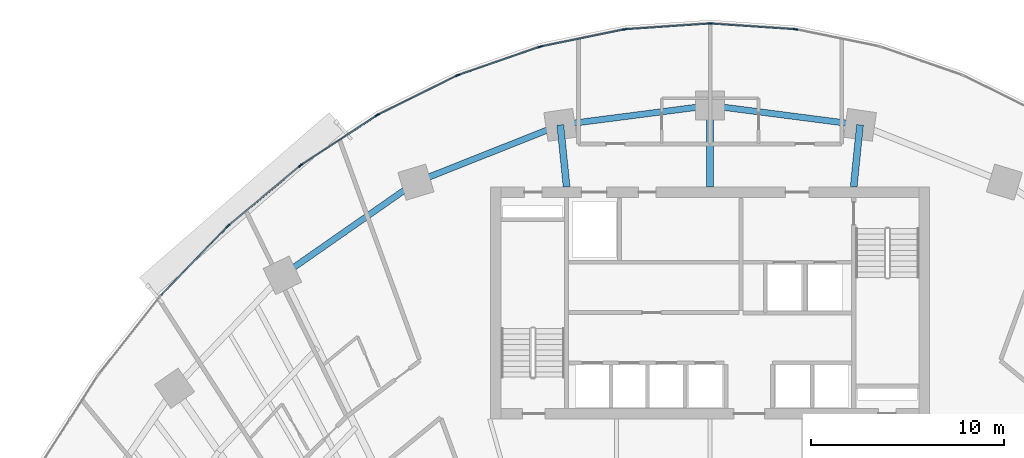
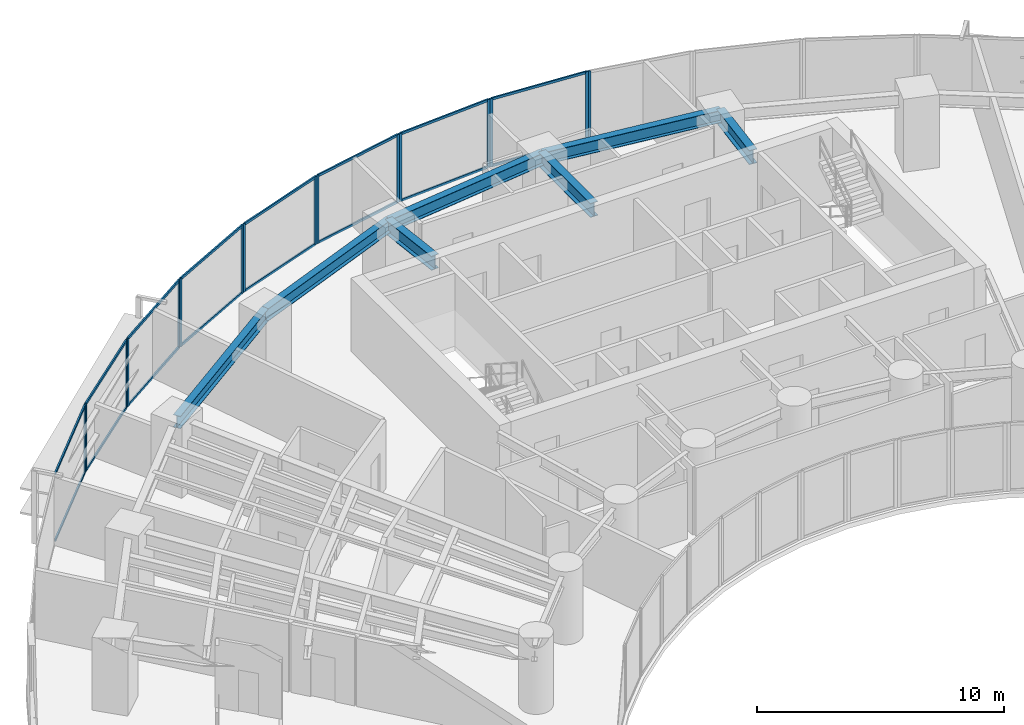
# One storey, part 6 of 17: 32 members, 7 beams, 9 elements without a shape of their own.
"""IFC4 building model written with IfcOpenShell, lengths in metres."""

from ifc_helpers import new_model, si_unit, direction, frame, origin, origin_2d, place, context, subcontext, project, spatial, rectangle, i_section, extrude, source, transform, mapped, material, layer, layer_set, material_profile, profile_set, type_object, element, aggregate, save


model = new_model("IFC4")

# Units and contexts
model_context = context("Model", 3, precision=1e-05, world=origin(), true_north=direction((0.0, 1.0)))
body_context = subcontext(model_context, "Body", "Model", "MODEL_VIEW")
ifc_project = project(units=[si_unit("LENGTHUNIT", "METRE"), si_unit("AREAUNIT", "SQUARE_METRE"), si_unit("VOLUMEUNIT", "CUBIC_METRE"), si_unit("PLANEANGLEUNIT", "RADIAN"), si_unit("MASSUNIT", "GRAM", prefix="KILO")], contexts=[model_context])

# Site, building, storey
site_placement = place(None, origin())
site = spatial("IfcSite", under=ifc_project, at=site_placement, CompositionType="ELEMENT")
building_placement = place(site_placement, origin())
building = spatial("IfcBuilding", under=site, at=building_placement, Name="Breltana Convention Tower", CompositionType="ELEMENT")
storey_placement = place(building_placement, frame((0.0, 0.0, 67.800048828125)))
storey = spatial("IfcBuildingStorey", under=building, at=storey_placement, Name="L15", CompositionType="ELEMENT", Elevation=67.800048828125)

# Beams
ifc_material_1 = material(Name="Steel ASTM A992 Grade 50", Category="steel")
ifc_material_profile_1 = material_profile(ifc_material_1, i_section(OverallWidth=0.323974609375, OverallDepth=0.611083984375, WebThickness=0.0126953125, FlangeThickness=0.01904296875, at=origin_2d()), Name="W24X104")
ifc_profile_set_1 = profile_set([ifc_material_profile_1], Name="Steel ASTM A992 Grade 50")
beam_type_1 = type_object("IfcBeamType", Name="BM-SP-W24X104", PredefinedType="SPANDREL", material=ifc_profile_set_1)
shared_shape_1 = source(origin(), body_context, "Body", "SweptSolid", [
    extrude(i_section(OverallWidth=0.323974609375, OverallDepth=0.611083984375, WebThickness=0.0126953125, FlangeThickness=0.01904296875, at=origin_2d()), origin(), (0.0, 0.0, 1.0), 8.4169921875),
])
beam_1_placement = place(storey_placement, frame((25.8876953125, 67.626953125, 3.054443359375), z_axis=(0.820173800102, 0.572114444519, 0.0), x_axis=(-0.572114444519, 0.820173800102, 0.0)))
element("IfcBeam", 1, at=beam_1_placement, inside=storey, type_object=beam_type_1, Name="L15 Outer Spandrel Beam 03", PredefinedType="SPANDREL", context=body_context, shape_type="MappedRepresentation", body=[
    mapped(shared_shape_1, transform((0.0, 0.0, 0.0), scale=1.0)),
])
shared_shape_2 = source(origin(), body_context, "Body", "SweptSolid", [
    extrude(i_section(OverallWidth=0.323974609375, OverallDepth=0.611083984375, WebThickness=0.0126953125, FlangeThickness=0.01904296875, at=origin_2d()), origin(), (0.0, 0.0, 1.0), 8.028564453125),
])
beam_2_placement = place(storey_placement, frame((32.791015625, 72.4423828125, 3.054443359375), z_axis=(0.929459100394, 0.368925169507, 0.0), x_axis=(-0.368925169507, 0.929459100394, 0.0)))
element("IfcBeam", 2, at=beam_2_placement, inside=storey, type_object=beam_type_1, Name="L15 Outer Spandrel Beam 04", PredefinedType="SPANDREL", context=body_context, shape_type="MappedRepresentation", body=[
    mapped(shared_shape_2, transform((0.0, 0.0, 0.0), scale=1.0)),
])
shared_shape_3 = source(origin(), body_context, "Body", "SweptSolid", [
    extrude(i_section(OverallWidth=0.323974609375, OverallDepth=0.611083984375, WebThickness=0.0126953125, FlangeThickness=0.01904296875, at=origin_2d()), origin(), (0.0, 0.0, 1.0), 7.81103515625),
])
for number, where, z_axis, x_axis, name in (
    (3, (40.253173828125, 75.404296875, 3.054443359375), (0.991775179127, 0.127992164083, 0.0), (-0.127992164083, 0.991775179127, 0.0), "L15 Outer Spandrel Beam 05"),
    (4, (48.0, 76.404052734375, 3.054443359375), (0.991775179127, -0.127992164083, 0.0), (0.127992164083, 0.991775179127, 0.0), "L15 Outer Spandrel Beam 06"),
):
    element("IfcBeam", number, at=place(storey_placement, frame(where, z_axis=z_axis, x_axis=x_axis)), inside=storey, type_object=beam_type_1, Name=name, PredefinedType="SPANDREL", context=body_context, shape_type="MappedRepresentation", body=[
        mapped(shared_shape_3, transform((0.0, 0.0, 0.0), scale=1.0)),
    ])
ifc_material_profile_2 = material_profile(ifc_material_1, i_section(OverallWidth=0.35498046875, OverallDepth=0.696044921875, WebThickness=0.015380859375, FlangeThickness=0.02490234375, at=origin_2d()), Name="W27X146")
ifc_profile_set_2 = profile_set([ifc_material_profile_2], Name="Steel ASTM A992 Grade 50")
beam_type_2 = type_object("IfcBeamType", Name="BM-RG-W27X146", PredefinedType="USERDEFINED", material=ifc_profile_set_2)
shared_shape_4 = source(origin(), body_context, "Body", "SweptSolid", [
    extrude(i_section(OverallWidth=0.35498046875, OverallDepth=0.696044921875, WebThickness=0.015380859375, FlangeThickness=0.02490234375, at=origin_2d()), origin(), (0.0, 0.0, 1.0), 3.220947265625),
])
for number, where, z_axis, x_axis, name in (
    (5, (40.580078125, 72.199951171875, 3.011962890625), (-0.101492254858, 0.994836329355, 0.0), (-0.994836329355, -0.101492254858, 0.0), "L15 North Core Radial Girder R05"),
    (6, (55.419921875, 72.199951171875, 3.011962890625), (0.101492254858, 0.994836329355, 0.0), (-0.994836329355, 0.101492254858, 0.0), "L15 North Core Radial Girder R07"),
):
    element("IfcBeam", number, at=place(storey_placement, frame(where, z_axis=z_axis, x_axis=x_axis)), inside=storey, type_object=beam_type_2, Name=name, ObjectType="GIRDER", PredefinedType="USERDEFINED", context=body_context, shape_type="MappedRepresentation", body=[
        mapped(shared_shape_4, transform((0.0, 0.0, 0.0), scale=1.0)),
    ])
shared_shape_5 = source(origin(), body_context, "Body", "SweptSolid", [
    extrude(i_section(OverallWidth=0.35498046875, OverallDepth=0.696044921875, WebThickness=0.015380859375, FlangeThickness=0.02490234375, at=origin_2d()), origin(), (0.0, 0.0, 1.0), 4.2041015625),
])
beam_3_placement = place(storey_placement, frame((48.0, 72.199951171875, 3.011962890625), z_axis=(0.0, 1.0, 0.0), x_axis=(-1.0, 0.0, 0.0)))
element("IfcBeam", 7, at=beam_3_placement, inside=storey, type_object=beam_type_2, Name="L15 North Core Radial Girder R06", ObjectType="GIRDER", PredefinedType="USERDEFINED", context=body_context, shape_type="MappedRepresentation", body=[
    mapped(shared_shape_5, transform((0.0, 0.0, 0.0), scale=1.0)),
])

# Curtain wall, members
ifc_material_2 = material(Name="Aluminium Anodised Bronze Frame", Category="aluminium")
ifc_layer = layer(ifc_material_2, 0.199951171875, Name="Aluminium Anodised Bronze Frame")
ifc_layer_set = layer_set([ifc_layer], Name="Aluminium Anodised Bronze Frame")
curtain_wall_type = type_object("IfcCurtainWallType", Name="CW-SYS-2", PredefinedType="NOTDEFINED", material=ifc_layer_set)
curtain_wall_1_placement = place(storey_placement, origin())
curtain_wall_1 = element("IfcCurtainWall", 8, at=curtain_wall_1_placement, inside=storey, type_object=curtain_wall_type, Name="L15 outer double-skin inner glazing 3", PredefinedType="NOTDEFINED")
ifc_material_3 = material(Name="Aluminium Anodised Bronze", Category="aluminium")
ifc_material_profile_3 = material_profile(ifc_material_3, rectangle(XDim=0.070068359375, YDim=0.1201171875, at=origin_2d()), Name="CWT-70X120")
ifc_profile_set_3 = profile_set([ifc_material_profile_3], Name="Aluminium Anodised Bronze")
member_type_1 = type_object("IfcMemberType", Name="CWT-120", PredefinedType="USERDEFINED", material=ifc_profile_set_3)
shared_shape_6 = source(origin(), body_context, "Body", "SweptSolid", [
    extrude(rectangle(XDim=0.070068359375, YDim=0.1201171875, at=origin_2d()), origin(), (0.0, 0.0, 1.0), 4.901123046875),
])
member_1_placement = place(storey_placement, frame((19.615478515625, 66.5966796875, 0.034912109375), z_axis=(0.6945945137, 0.719401460617, 0.0), x_axis=(-0.719401460617, 0.6945945137, 0.0)))
member_1 = element("IfcMember", 9, at=member_1_placement, type_object=member_type_1, Name="CW-02 transom 1.1", ObjectType="TRANSOM", PredefinedType="USERDEFINED", context=body_context, shape_type="MappedRepresentation", body=[
    mapped(shared_shape_6, transform((0.0, 0.0, 0.0), scale=1.0)),
])
member_2_placement = place(storey_placement, frame((19.615478515625, 66.5966796875, 3.324951171875), z_axis=(0.6945945137, 0.719401460617, 0.0), x_axis=(-0.719401460617, 0.6945945137, 0.0)))
member_2 = element("IfcMember", 10, at=member_2_placement, type_object=member_type_1, Name="CW-02 transom 1.2", ObjectType="TRANSOM", PredefinedType="USERDEFINED", context=body_context, shape_type="MappedRepresentation", body=[
    mapped(shared_shape_6, transform((0.0, 0.0, 0.0), scale=1.0)),
])

curtain_wall_2_placement = place(storey_placement, origin())
curtain_wall_2 = element("IfcCurtainWall", 11, at=curtain_wall_2_placement, inside=storey, type_object=curtain_wall_type, Name="L15 outer double-skin inner glazing 4", PredefinedType="NOTDEFINED")
shared_shape_7 = source(origin(), body_context, "Body", "SweptSolid", [
    extrude(rectangle(XDim=0.070068359375, YDim=0.1201171875, at=origin_2d()), origin(), (0.0, 0.0, 1.0), 4.7509765625),
])
member_3_placement = place(storey_placement, frame((23.1220703125, 70.2177734375, 0.034912109375), z_axis=(0.767951631807, 0.64050783852, 0.0), x_axis=(-0.64050783852, 0.767951631807, 0.0)))
member_3 = element("IfcMember", 12, at=member_3_placement, type_object=member_type_1, Name="CW-02 transom 1.1", ObjectType="TRANSOM", PredefinedType="USERDEFINED", context=body_context, shape_type="MappedRepresentation", body=[
    mapped(shared_shape_7, transform((0.0, 0.0, 0.0), scale=1.0)),
])
member_4_placement = place(storey_placement, frame((23.1220703125, 70.2177734375, 3.324951171875), z_axis=(0.767951631807, 0.64050783852, 0.0), x_axis=(-0.64050783852, 0.767951631807, 0.0)))
member_4 = element("IfcMember", 13, at=member_4_placement, type_object=member_type_1, Name="CW-02 transom 1.2", ObjectType="TRANSOM", PredefinedType="USERDEFINED", context=body_context, shape_type="MappedRepresentation", body=[
    mapped(shared_shape_7, transform((0.0, 0.0, 0.0), scale=1.0)),
])

curtain_wall_3_placement = place(storey_placement, origin())
curtain_wall_3 = element("IfcCurtainWall", 14, at=curtain_wall_3_placement, inside=storey, type_object=curtain_wall_type, Name="L15 outer double-skin inner glazing 5", PredefinedType="NOTDEFINED")
shared_shape_8 = source(origin(), body_context, "Body", "SweptSolid", [
    extrude(rectangle(XDim=0.070068359375, YDim=0.1201171875, at=origin_2d()), origin(), (0.0, 0.0, 1.0), 4.610595703125),
])
member_5_placement = place(storey_placement, frame((26.8828125, 73.343994140625, 0.034912109375), z_axis=(0.835956055104, 0.54879638659, 0.0), x_axis=(-0.54879638659, 0.835956055104, 0.0)))
member_5 = element("IfcMember", 15, at=member_5_placement, type_object=member_type_1, Name="CW-02 transom 1.1", ObjectType="TRANSOM", PredefinedType="USERDEFINED", context=body_context, shape_type="MappedRepresentation", body=[
    mapped(shared_shape_8, transform((0.0, 0.0, 0.0), scale=1.0)),
])
member_6_placement = place(storey_placement, frame((26.8828125, 73.343994140625, 3.324951171875), z_axis=(0.835956055104, 0.54879638659, 0.0), x_axis=(-0.54879638659, 0.835956055104, 0.0)))
member_6 = element("IfcMember", 16, at=member_6_placement, type_object=member_type_1, Name="CW-02 transom 1.2", ObjectType="TRANSOM", PredefinedType="USERDEFINED", context=body_context, shape_type="MappedRepresentation", body=[
    mapped(shared_shape_8, transform((0.0, 0.0, 0.0), scale=1.0)),
])

curtain_wall_4_placement = place(storey_placement, origin())
curtain_wall_4 = element("IfcCurtainWall", 17, at=curtain_wall_4_placement, inside=storey, type_object=curtain_wall_type, Name="L15 outer double-skin inner glazing 6", PredefinedType="NOTDEFINED")
shared_shape_9 = source(origin(), body_context, "Body", "SweptSolid", [
    extrude(rectangle(XDim=0.070068359375, YDim=0.1201171875, at=origin_2d()), origin(), (0.0, 0.0, 1.0), 4.487548828125),
])
member_7_placement = place(storey_placement, frame((30.8583984375, 75.94384765625, 0.034912109375), z_axis=(0.895977728863, 0.444098986017, 0.0), x_axis=(-0.444098986017, 0.895977728863, 0.0)))
member_7 = element("IfcMember", 18, at=member_7_placement, type_object=member_type_1, Name="CW-02 transom 1.1", ObjectType="TRANSOM", PredefinedType="USERDEFINED", context=body_context, shape_type="MappedRepresentation", body=[
    mapped(shared_shape_9, transform((0.0, 0.0, 0.0), scale=1.0)),
])
member_8_placement = place(storey_placement, frame((30.8583984375, 75.94384765625, 3.324951171875), z_axis=(0.895977728863, 0.444098986017, 0.0), x_axis=(-0.444098986017, 0.895977728863, 0.0)))
member_8 = element("IfcMember", 19, at=member_8_placement, type_object=member_type_1, Name="CW-02 transom 1.2", ObjectType="TRANSOM", PredefinedType="USERDEFINED", context=body_context, shape_type="MappedRepresentation", body=[
    mapped(shared_shape_9, transform((0.0, 0.0, 0.0), scale=1.0)),
])

curtain_wall_5_placement = place(storey_placement, origin())
curtain_wall_5 = element("IfcCurtainWall", 20, at=curtain_wall_5_placement, inside=storey, type_object=curtain_wall_type, Name="L15 outer double-skin inner glazing 7", PredefinedType="NOTDEFINED")
shared_shape_10 = source(origin(), body_context, "Body", "SweptSolid", [
    extrude(rectangle(XDim=0.070068359375, YDim=0.1201171875, at=origin_2d()), origin(), (0.0, 0.0, 1.0), 4.38818359375),
])
member_9_placement = place(storey_placement, frame((35.008056640625, 77.99072265625, 0.034912109375), z_axis=(0.944878203019, 0.32742202348, 0.0), x_axis=(-0.32742202348, 0.944878203019, 0.0)))
member_9 = element("IfcMember", 21, at=member_9_placement, type_object=member_type_1, Name="CW-02 transom 1.1", ObjectType="TRANSOM", PredefinedType="USERDEFINED", context=body_context, shape_type="MappedRepresentation", body=[
    mapped(shared_shape_10, transform((0.0, 0.0, 0.0), scale=1.0)),
])
member_10_placement = place(storey_placement, frame((35.008056640625, 77.99072265625, 3.324951171875), z_axis=(0.944878203019, 0.32742202348, 0.0), x_axis=(-0.32742202348, 0.944878203019, 0.0)))
member_10 = element("IfcMember", 22, at=member_10_placement, type_object=member_type_1, Name="CW-02 transom 1.2", ObjectType="TRANSOM", PredefinedType="USERDEFINED", context=body_context, shape_type="MappedRepresentation", body=[
    mapped(shared_shape_10, transform((0.0, 0.0, 0.0), scale=1.0)),
])

curtain_wall_6_placement = place(storey_placement, origin())
curtain_wall_6 = element("IfcCurtainWall", 23, at=curtain_wall_6_placement, inside=storey, type_object=curtain_wall_type, Name="L15 outer double-skin inner glazing 8", PredefinedType="NOTDEFINED")
shared_shape_11 = source(origin(), body_context, "Body", "SweptSolid", [
    extrude(rectangle(XDim=0.070068359375, YDim=0.1201171875, at=origin_2d()), origin(), (0.0, 0.0, 1.0), 4.318359375),
])
member_11_placement = place(storey_placement, frame((39.2890625, 79.464599609375, 0.034912109375), z_axis=(0.979616680923, 0.200875977799, 0.0), x_axis=(-0.200875977799, 0.979616680923, 0.0)))
member_11 = element("IfcMember", 24, at=member_11_placement, type_object=member_type_1, Name="CW-02 transom 1.1", ObjectType="TRANSOM", PredefinedType="USERDEFINED", context=body_context, shape_type="MappedRepresentation", body=[
    mapped(shared_shape_11, transform((0.0, 0.0, 0.0), scale=1.0)),
])
member_12_placement = place(storey_placement, frame((39.2890625, 79.464599609375, 3.324951171875), z_axis=(0.979616680923, 0.200875977799, 0.0), x_axis=(-0.200875977799, 0.979616680923, 0.0)))
member_12 = element("IfcMember", 25, at=member_12_placement, type_object=member_type_1, Name="CW-02 transom 1.2", ObjectType="TRANSOM", PredefinedType="USERDEFINED", context=body_context, shape_type="MappedRepresentation", body=[
    mapped(shared_shape_11, transform((0.0, 0.0, 0.0), scale=1.0)),
])

curtain_wall_7_placement = place(storey_placement, origin())
curtain_wall_7 = element("IfcCurtainWall", 26, at=curtain_wall_7_placement, inside=storey, type_object=curtain_wall_type, Name="L15 outer double-skin inner glazing 9", PredefinedType="NOTDEFINED")
shared_shape_12 = source(origin(), body_context, "Body", "SweptSolid", [
    extrude(rectangle(XDim=0.070068359375, YDim=0.1201171875, at=origin_2d()), origin(), (0.0, 0.0, 1.0), 4.2822265625),
])
member_13_placement = place(storey_placement, frame((43.65771484375, 80.350830078125, 0.034912109375), z_axis=(0.997703698684, 0.067729828231, 0.0), x_axis=(-0.067729828231, 0.997703698684, 0.0)))
member_13 = element("IfcMember", 27, at=member_13_placement, type_object=member_type_1, Name="CW-02 transom 1.1", ObjectType="TRANSOM", PredefinedType="USERDEFINED", context=body_context, shape_type="MappedRepresentation", body=[
    mapped(shared_shape_12, transform((0.0, 0.0, 0.0), scale=1.0)),
])
member_14_placement = place(storey_placement, frame((43.65771484375, 80.350830078125, 3.324951171875), z_axis=(0.997703698684, 0.067729828231, 0.0), x_axis=(-0.067729828231, 0.997703698684, 0.0)))
member_14 = element("IfcMember", 28, at=member_14_placement, type_object=member_type_1, Name="CW-02 transom 1.2", ObjectType="TRANSOM", PredefinedType="USERDEFINED", context=body_context, shape_type="MappedRepresentation", body=[
    mapped(shared_shape_12, transform((0.0, 0.0, 0.0), scale=1.0)),
])

curtain_wall_8_placement = place(storey_placement, origin())
curtain_wall_8 = element("IfcCurtainWall", 29, at=curtain_wall_8_placement, inside=storey, type_object=curtain_wall_type, Name="L15 outer double-skin inner glazing 10", PredefinedType="NOTDEFINED")
member_15_placement = place(storey_placement, frame((48.06982421875, 80.640869140625, 0.034912109375), z_axis=(0.997703698684, -0.067729828231, 0.0), x_axis=(0.067729828231, 0.997703698684, 0.0)))
member_15 = element("IfcMember", 30, at=member_15_placement, type_object=member_type_1, Name="CW-02 transom 1.1", ObjectType="TRANSOM", PredefinedType="USERDEFINED", context=body_context, shape_type="MappedRepresentation", body=[
    mapped(shared_shape_12, transform((0.0, 0.0, 0.0), scale=1.0)),
])
member_16_placement = place(storey_placement, frame((48.06982421875, 80.640869140625, 3.324951171875), z_axis=(0.997703698684, -0.067729828231, 0.0), x_axis=(0.067729828231, 0.997703698684, 0.0)))
member_16 = element("IfcMember", 31, at=member_16_placement, type_object=member_type_1, Name="CW-02 transom 1.2", ObjectType="TRANSOM", PredefinedType="USERDEFINED", context=body_context, shape_type="MappedRepresentation", body=[
    mapped(shared_shape_12, transform((0.0, 0.0, 0.0), scale=1.0)),
])

# Member
ifc_material_profile_4 = material_profile(ifc_material_3, rectangle(XDim=0.070068359375, YDim=0.175048828125, at=origin_2d()), Name="CWM-70X175")
ifc_profile_set_4 = profile_set([ifc_material_profile_4], Name="Aluminium Anodised Bronze")
member_type_2 = type_object("IfcMemberType", Name="CWM-175", PredefinedType="MULLION", material=ifc_profile_set_4)
shared_shape_13 = source(origin(), body_context, "Body", "SweptSolid", [
    extrude(rectangle(XDim=0.070068359375, YDim=0.175048828125, at=origin_2d()), origin(), (0.0, 0.0, 1.0), 3.35986328125),
])
member_17_placement = place(storey_placement, frame((23.044189453125, 70.147705078125, 0.0), z_axis=(0.0, 0.0, 1.0), x_axis=(-0.719386421003, 0.694610090106, 0.0)))
member_17 = element("IfcMember", 32, at=member_17_placement, type_object=member_type_2, Name="CW-02 mullion 2", PredefinedType="MULLION", context=body_context, shape_type="MappedRepresentation", body=[
    mapped(shared_shape_13, transform((0.0, 0.0, 0.0), scale=1.0)),
])

aggregate(curtain_wall_1, [member_17, member_1, member_2])

member_18_placement = place(storey_placement, frame((23.09521484375, 70.1953125, 0.0), z_axis=(0.0, 0.0, 1.0), x_axis=(-0.640520193554, 0.767941326958, 0.0)))
member_18 = element("IfcMember", 33, at=member_18_placement, type_object=member_type_2, Name="CW-02 mullion 1", PredefinedType="MULLION", context=body_context, shape_type="MappedRepresentation", body=[
    mapped(shared_shape_13, transform((0.0, 0.0, 0.0), scale=1.0)),
])

member_19_placement = place(storey_placement, frame((26.79736328125, 73.283203125, 0.0), z_axis=(0.0, 0.0, 1.0), x_axis=(-0.640520193554, 0.767941326958, 0.0)))
member_19 = element("IfcMember", 34, at=member_19_placement, type_object=member_type_2, Name="CW-02 mullion 2", PredefinedType="MULLION", context=body_context, shape_type="MappedRepresentation", body=[
    mapped(shared_shape_13, transform((0.0, 0.0, 0.0), scale=1.0)),
])

aggregate(curtain_wall_2, [member_18, member_19, member_3, member_4])

member_20_placement = place(storey_placement, frame((26.853515625, 73.32470703125, 0.0), z_axis=(0.0, 0.0, 1.0), x_axis=(-0.548784255746, 0.83596401875, 0.0)))
member_20 = element("IfcMember", 35, at=member_20_placement, type_object=member_type_2, Name="CW-02 mullion 1", PredefinedType="MULLION", context=body_context, shape_type="MappedRepresentation", body=[
    mapped(shared_shape_13, transform((0.0, 0.0, 0.0), scale=1.0)),
])

member_21_placement = place(storey_placement, frame((30.766357421875, 75.8935546875, 0.0), z_axis=(0.0, 0.0, 1.0), x_axis=(-0.548784255746, 0.83596401875, 0.0)))
member_21 = element("IfcMember", 36, at=member_21_placement, type_object=member_type_2, Name="CW-02 mullion 2", PredefinedType="MULLION", context=body_context, shape_type="MappedRepresentation", body=[
    mapped(shared_shape_13, transform((0.0, 0.0, 0.0), scale=1.0)),
])

aggregate(curtain_wall_3, [member_20, member_21, member_5, member_6])

member_22_placement = place(storey_placement, frame((30.8271484375, 75.92822265625, 0.0), z_axis=(0.0, 0.0, 1.0), x_axis=(-0.444107703726, 0.895973407804, 0.0)))
member_22 = element("IfcMember", 37, at=member_22_placement, type_object=member_type_2, Name="CW-02 mullion 1", PredefinedType="MULLION", context=body_context, shape_type="MappedRepresentation", body=[
    mapped(shared_shape_13, transform((0.0, 0.0, 0.0), scale=1.0)),
])

member_23_placement = place(storey_placement, frame((34.910400390625, 77.9521484375, 0.0), z_axis=(0.0, 0.0, 1.0), x_axis=(-0.444107703726, 0.895973407804, 0.0)))
member_23 = element("IfcMember", 38, at=member_23_placement, type_object=member_type_2, Name="CW-02 mullion 2", PredefinedType="MULLION", context=body_context, shape_type="MappedRepresentation", body=[
    mapped(shared_shape_13, transform((0.0, 0.0, 0.0), scale=1.0)),
])

aggregate(curtain_wall_4, [member_22, member_23, member_7, member_8])

member_24_placement = place(storey_placement, frame((34.974853515625, 77.979248046875, 0.0), z_axis=(0.0, 0.0, 1.0), x_axis=(-0.32742834581, 0.944876012163, 0.0)))
member_24 = element("IfcMember", 39, at=member_24_placement, type_object=member_type_2, Name="CW-02 mullion 1", PredefinedType="MULLION", context=body_context, shape_type="MappedRepresentation", body=[
    mapped(shared_shape_13, transform((0.0, 0.0, 0.0), scale=1.0)),
])

member_25_placement = place(storey_placement, frame((39.1875, 79.43896484375, 0.0), z_axis=(0.0, 0.0, 1.0), x_axis=(-0.32742834581, 0.944876012163, 0.0)))
member_25 = element("IfcMember", 40, at=member_25_placement, type_object=member_type_2, Name="CW-02 mullion 2", PredefinedType="MULLION", context=body_context, shape_type="MappedRepresentation", body=[
    mapped(shared_shape_13, transform((0.0, 0.0, 0.0), scale=1.0)),
])

aggregate(curtain_wall_5, [member_24, member_25, member_9, member_10])

member_26_placement = place(storey_placement, frame((39.2548828125, 79.45751953125, 0.0), z_axis=(0.0, 0.0, 1.0), x_axis=(-0.200884537139, 0.979614925743, 0.0)))
member_26 = element("IfcMember", 41, at=member_26_placement, type_object=member_type_2, Name="CW-02 mullion 1", PredefinedType="MULLION", context=body_context, shape_type="MappedRepresentation", body=[
    mapped(shared_shape_13, transform((0.0, 0.0, 0.0), scale=1.0)),
])

member_27_placement = place(storey_placement, frame((43.5537109375, 80.339111328125, 0.0), z_axis=(0.0, 0.0, 1.0), x_axis=(-0.200884537139, 0.979614925743, 0.0)))
member_27 = element("IfcMember", 42, at=member_27_placement, type_object=member_type_2, Name="CW-02 mullion 2", PredefinedType="MULLION", context=body_context, shape_type="MappedRepresentation", body=[
    mapped(shared_shape_13, transform((0.0, 0.0, 0.0), scale=1.0)),
])

aggregate(curtain_wall_6, [member_26, member_27, member_11, member_12])

member_28_placement = place(storey_placement, frame((43.622802734375, 80.348388671875, 0.0), z_axis=(0.0, 0.0, 1.0), x_axis=(-0.067725650529, 0.997703982282, 0.0)))
member_28 = element("IfcMember", 43, at=member_28_placement, type_object=member_type_2, Name="CW-02 mullion 1", PredefinedType="MULLION", context=body_context, shape_type="MappedRepresentation", body=[
    mapped(shared_shape_13, transform((0.0, 0.0, 0.0), scale=1.0)),
])

member_29_placement = place(storey_placement, frame((47.965087890625, 80.643310546875, 0.0), z_axis=(0.0, 0.0, 1.0), x_axis=(-0.067725650529, 0.997703982282, 0.0)))
member_29 = element("IfcMember", 44, at=member_29_placement, type_object=member_type_2, Name="CW-02 mullion 2", PredefinedType="MULLION", context=body_context, shape_type="MappedRepresentation", body=[
    mapped(shared_shape_13, transform((0.0, 0.0, 0.0), scale=1.0)),
])

aggregate(curtain_wall_7, [member_28, member_29, member_13, member_14])

member_30_placement = place(storey_placement, frame((48.034912109375, 80.643310546875, 0.0), z_axis=(0.0, 0.0, 1.0), x_axis=(0.067725650529, 0.997703982282, 0.0)))
member_30 = element("IfcMember", 45, at=member_30_placement, type_object=member_type_2, Name="CW-02 mullion 1", PredefinedType="MULLION", context=body_context, shape_type="MappedRepresentation", body=[
    mapped(shared_shape_13, transform((0.0, 0.0, 0.0), scale=1.0)),
])

member_31_placement = place(storey_placement, frame((52.377197265625, 80.348388671875, 0.0), z_axis=(0.0, 0.0, 1.0), x_axis=(0.067725650529, 0.997703982282, 0.0)))
member_31 = element("IfcMember", 46, at=member_31_placement, type_object=member_type_2, Name="CW-02 mullion 2", PredefinedType="MULLION", context=body_context, shape_type="MappedRepresentation", body=[
    mapped(shared_shape_13, transform((0.0, 0.0, 0.0), scale=1.0)),
])

aggregate(curtain_wall_8, [member_30, member_31, member_15, member_16])

# Curtain wall, member
curtain_wall_9_placement = place(storey_placement, origin())
curtain_wall_9 = element("IfcCurtainWall", 47, at=curtain_wall_9_placement, inside=storey, type_object=curtain_wall_type, Name="L15 outer double-skin inner glazing 11", PredefinedType="NOTDEFINED")
member_32_placement = place(storey_placement, frame((52.4462890625, 80.339111328125, 0.0), z_axis=(0.0, 0.0, 1.0), x_axis=(0.200884537139, 0.979614925743, 0.0)))
member_32 = element("IfcMember", 48, at=member_32_placement, type_object=member_type_2, Name="CW-02 mullion 1", PredefinedType="MULLION", context=body_context, shape_type="MappedRepresentation", body=[
    mapped(shared_shape_13, transform((0.0, 0.0, 0.0), scale=1.0)),
])
aggregate(curtain_wall_9, [member_32])

save(model, "model.ifc")
